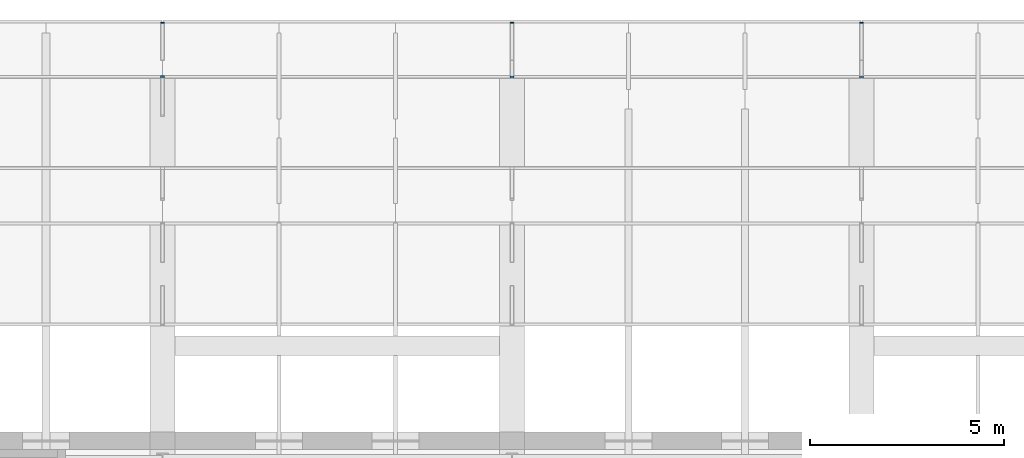
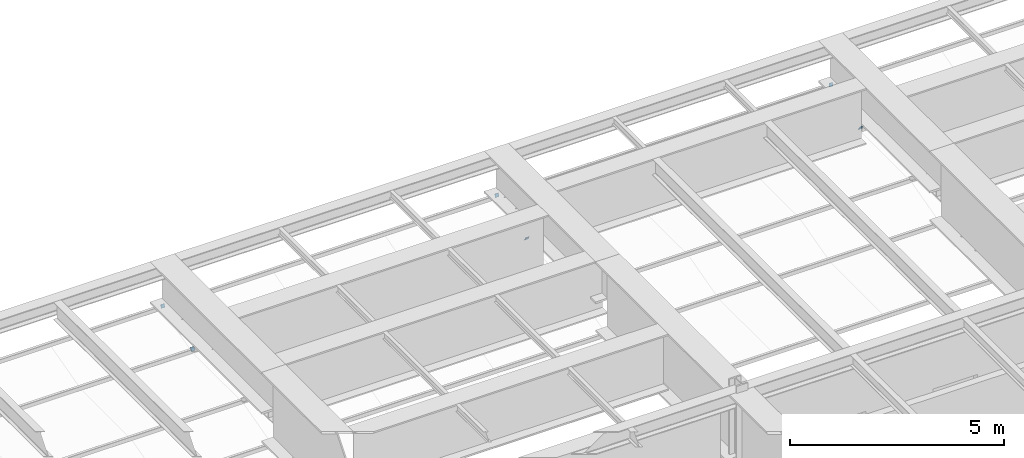
# One storey, part 125 of 153: 6 discrete accessories.
"""IFC4 building model written with IfcOpenShell, lengths in metres."""

from ifc_helpers import new_model, si_unit, direction, frame, origin, origin_2d, place, context, subcontext, project, spatial, rectangle, extrude, material, material_profile, profile_set, type_object, element, save


model = new_model("IFC4")

# Units and contexts
model_context = context("Model", 3, precision=1e-05, world=origin(), true_north=direction((0.0, 1.0)))
body_context = subcontext(model_context, "Body", "Model", "MODEL_VIEW")
ifc_project = project(units=[si_unit("LENGTHUNIT", "METRE"), si_unit("AREAUNIT", "SQUARE_METRE"), si_unit("VOLUMEUNIT", "CUBIC_METRE"), si_unit("PLANEANGLEUNIT", "RADIAN"), si_unit("MASSUNIT", "GRAM", prefix="KILO")], contexts=[model_context])

# Site, building, storey
site_placement = place(None, origin())
site = spatial("IfcSite", under=ifc_project, at=site_placement, CompositionType="ELEMENT")
building_placement = place(site_placement, origin())
building = spatial("IfcBuilding", under=site, at=building_placement, Name="Kallimachos Central Library", CompositionType="ELEMENT")
storey_placement = place(building_placement, frame((0.0, 0.0, 5.39990234375)))
storey = spatial("IfcBuildingStorey", under=building, at=storey_placement, Name="L01", CompositionType="ELEMENT", Elevation=5.39990234375)

# Discrete accessories
ifc_material = material(Name="Steel S355J2", Category="steel")
ifc_material_profile = material_profile(ifc_material, rectangle(XDim=0.10009765625, YDim=0.10009765625, at=origin_2d()), Name="End cap plate 10, 100x100")
ifc_profile_set = profile_set([ifc_material_profile], Name="Steel S355J2")
discrete_accessory_type = type_object("IfcDiscreteAccessoryType", Name="End cap plate 10, 100x100", PredefinedType="BRACKET", material=ifc_profile_set)
for number, where, z_axis, x_axis, name in (
    (1, (74.5, 121.77978515625, 2.94140625), (0.0, -0.985030467156, 0.172380331752), (1.0, 0.0, 0.0), "End cap plate"),
    (2, (83.5, 121.77978515625, 2.94140625), (0.0, -0.985030467156, 0.172380331752), (1.0, 0.0, 0.0), "End cap plate"),
    (3, (92.5, 121.77978515625, 2.94140625), (0.0, -0.985030467156, 0.172380331752), (1.0, 0.0, 0.0), "End cap plate"),
    (4, (74.5, 120.3837890625, 2.562255859375), (0.0, -0.874157276122, 0.485642931179), (1.0, 0.0, 0.0), "End cap plate"),
    (5, (83.5, 120.3662109375, 2.562255859375), (0.0, 0.874157276122, 0.485642931179), (-1.0, 0.0, 0.0), "End cap plate"),
    (6, (92.5, 120.3662109375, 2.562255859375), (0.0, 0.874157276122, 0.485642931179), (-1.0, 0.0, 0.0), "End cap plate"),
):
    element("IfcDiscreteAccessory", number, at=place(storey_placement, frame(where, z_axis=z_axis, x_axis=x_axis)), inside=storey, type_object=discrete_accessory_type, Name=name, PredefinedType="BRACKET", context=body_context, shape_type="SweptSolid", body=[
        extrude(rectangle(XDim=0.10009765625, YDim=0.10009765625, at=origin_2d()), origin(), (0.0, 0.0, 1.0), 0.010009765625),
    ])

save(model, "model.ifc")
